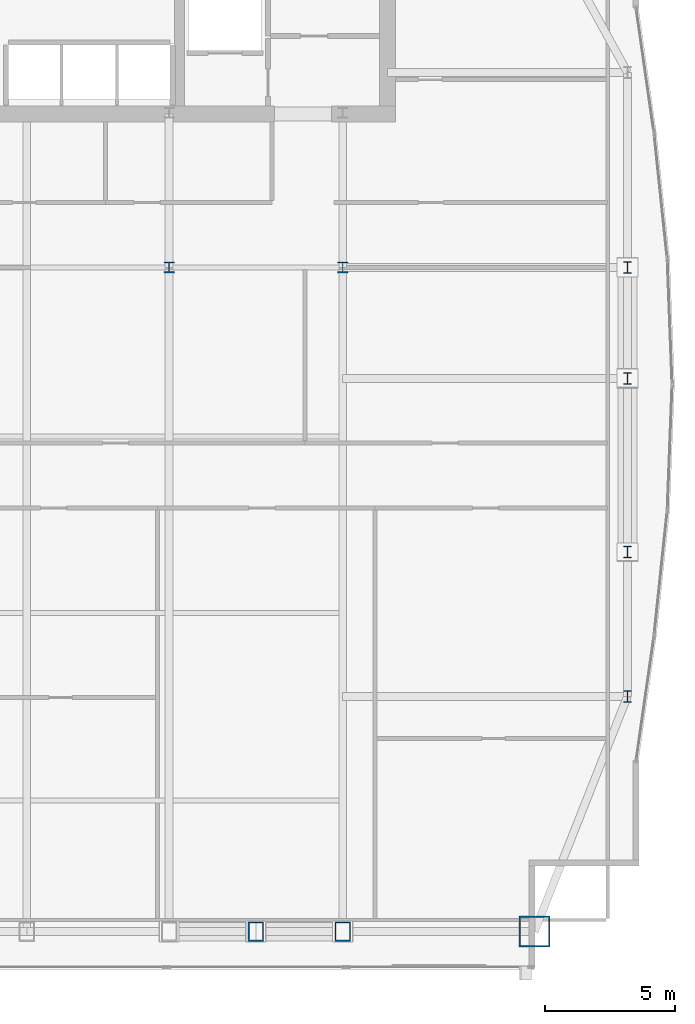
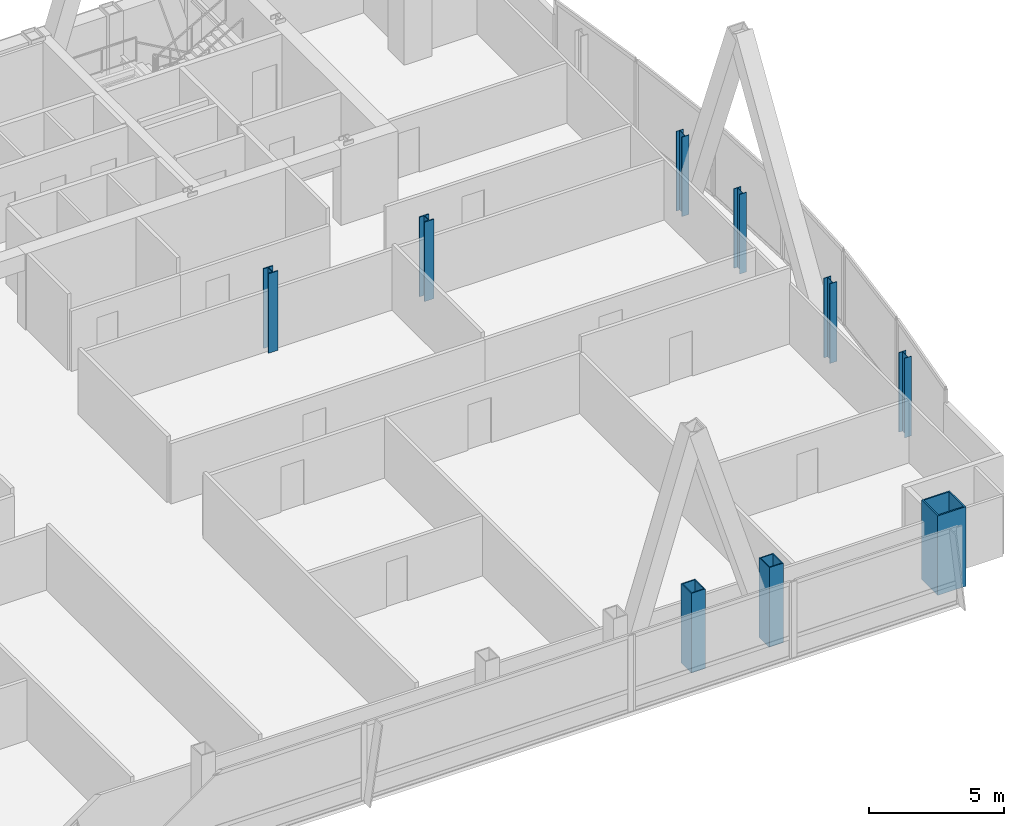
# One storey, part 2 of 32: 9 columns.
"""IFC4 building model written with IfcOpenShell, lengths in metres."""

from ifc_helpers import new_model, si_unit, direction, frame, origin, origin_2d, place, context, subcontext, project, spatial, hollow_rectangle, i_section, extrude, material, material_profile, profile_set, type_object, element, save


model = new_model("IFC4")

# Units and contexts
model_context = context("Model", 3, precision=1e-05, world=origin(), true_north=direction((0.0, 1.0)))
body_context = subcontext(model_context, "Body", "Model", "MODEL_VIEW")
ifc_project = project(units=[si_unit("LENGTHUNIT", "METRE"), si_unit("AREAUNIT", "SQUARE_METRE"), si_unit("VOLUMEUNIT", "CUBIC_METRE"), si_unit("PLANEANGLEUNIT", "RADIAN"), si_unit("MASSUNIT", "GRAM", prefix="KILO")], contexts=[model_context])

# Site, building, storey
site_placement = place(None, origin())
site = spatial("IfcSite", under=ifc_project, at=site_placement, CompositionType="ELEMENT")
building_placement = place(site_placement, origin())
building = spatial("IfcBuilding", under=site, at=building_placement, Name="Khoronbel Lancet Exchange", CompositionType="ELEMENT")
storey_placement = place(building_placement, frame((0.0, 0.0, 199.39990234375)))
storey = spatial("IfcBuildingStorey", under=building, at=storey_placement, Name="L50", CompositionType="ELEMENT", Elevation=199.39990234375)

# Columns
ifc_material_1 = material(Name="Steel S460", Category="steel")
ifc_material_profile_1 = material_profile(ifc_material_1, hollow_rectangle(XDim=0.60009765625, YDim=0.75, WallThickness=0.044921875, at=origin_2d()), Name="BOX 750x600x45")
ifc_profile_set_1 = profile_set([ifc_material_profile_1], Name="Steel S460")
column_type_1 = type_object("IfcColumnType", Name="COL-EC3", PredefinedType="COLUMN", material=ifc_profile_set_1)
for number, where, z_axis, x_axis, name in (
    (1, (51.33740234375, 10.14990234375, 0.0), (0.0, 0.0, 1.0), (1.0, 0.0, 0.0), "Structural column SC-EM L50"),
    (2, (54.675048828125, 10.14990234375, 0.0), (0.0, 0.0, 1.0), (1.0, 0.0, 0.0), "Structural column SC-E2 L50"),
):
    element("IfcColumn", number, at=place(storey_placement, frame(where, z_axis=z_axis, x_axis=x_axis)), inside=storey, type_object=column_type_1, Name=name, PredefinedType="COLUMN", context=body_context, shape_type="SweptSolid", body=[
        extrude(hollow_rectangle(XDim=0.60009765625, YDim=0.75, WallThickness=0.044921875, at=origin_2d()), origin(), (0.0, 0.0, 1.0), 3.60009765625),
    ])
ifc_material_2 = material(Name="Steel S355", Category="steel")
ifc_material_profile_2 = material_profile(ifc_material_2, i_section(OverallWidth=0.406005859375, OverallDepth=0.416015625, WebThickness=0.02978515625, FlangeThickness=0.048095703125, at=origin_2d()), Name="HD 400x382")
ifc_profile_set_2 = profile_set([ifc_material_profile_2], Name="Steel S355")
column_type_2 = type_object("IfcColumnType", Name="COL-IC3", PredefinedType="COLUMN", material=ifc_profile_set_2)
for number, where, z_axis, x_axis, name in (
    (3, (48.0, 35.699951171875, 0.0), (0.0, 0.0, 1.0), (1.0, 0.0, 0.0), "Spine gravity column TC3 L50"),
    (4, (54.675048828125, 35.699951171875, 0.0), (0.0, 0.0, 1.0), (1.0, 0.0, 0.0), "Spine gravity column TC4 L50"),
):
    element("IfcColumn", number, at=place(storey_placement, frame(where, z_axis=z_axis, x_axis=x_axis)), inside=storey, type_object=column_type_2, Name=name, PredefinedType="COLUMN", context=body_context, shape_type="SweptSolid", body=[
        extrude(i_section(OverallWidth=0.406005859375, OverallDepth=0.416015625, WebThickness=0.02978515625, FlangeThickness=0.048095703125, at=origin_2d()), origin(), (0.0, 0.0, 1.0), 3.60009765625),
    ])
ifc_material_profile_3 = material_profile(ifc_material_2, i_section(OverallWidth=0.300048828125, OverallDepth=0.449951171875, WebThickness=0.013916015625, FlangeThickness=0.02587890625, at=origin_2d()), Name="HEB 450")
ifc_profile_set_3 = profile_set([ifc_material_profile_3], Name="Steel S355")
column_type_3 = type_object("IfcColumnType", Name="COL-LC2", PredefinedType="COLUMN", material=ifc_profile_set_3)
for number, where, z_axis, x_axis, name in (
    (5, (65.6298828125, 19.199951171875, 0.0), (0.0, 0.0, 1.0), (1.0, 0.0, 0.0), "Structural column EC-1 L50"),
    (6, (65.6298828125, 24.75, 0.0), (0.0, 0.0, 1.0), (1.0, 0.0, 0.0), "Structural column EC-2 L50"),
    (7, (65.6298828125, 31.425048828125, 0.0), (0.0, 0.0, 1.0), (1.0, 0.0, 0.0), "Structural column EC-M L50"),
    (8, (65.6298828125, 35.699951171875, 0.0), (0.0, 0.0, 1.0), (1.0, 0.0, 0.0), "Structural column EC-3 L50"),
):
    element("IfcColumn", number, at=place(storey_placement, frame(where, z_axis=z_axis, x_axis=x_axis)), inside=storey, type_object=column_type_3, Name=name, PredefinedType="COLUMN", context=body_context, shape_type="SweptSolid", body=[
        extrude(i_section(OverallWidth=0.300048828125, OverallDepth=0.449951171875, WebThickness=0.013916015625, FlangeThickness=0.02587890625, at=origin_2d()), origin(), (0.0, 0.0, 1.0), 3.60009765625),
    ])
ifc_material_profile_4 = material_profile(ifc_material_1, hollow_rectangle(XDim=1.199951171875, YDim=1.199951171875, WallThickness=0.06005859375, at=origin_2d()), Name="BOX 1200x1200x60")
ifc_profile_set_4 = profile_set([ifc_material_profile_4], Name="Steel S460")
column_type_4 = type_object("IfcColumnType", Name="COL-MC5", PredefinedType="COLUMN", material=ifc_profile_set_4)
column_placement = place(storey_placement, frame((62.050048828125, 10.14990234375, 0.0), z_axis=(0.0, 0.0, 1.0), x_axis=(1.0, 0.0, 0.0)))
element("IfcColumn", 9, at=column_placement, inside=storey, type_object=column_type_4, Name="Structural column MC-SE L50", PredefinedType="COLUMN", context=body_context, shape_type="SweptSolid", body=[
    extrude(hollow_rectangle(XDim=1.199951171875, YDim=1.199951171875, WallThickness=0.06005859375, at=origin_2d()), origin(), (0.0, 0.0, 1.0), 3.60009765625),
])

save(model, "model.ifc")
